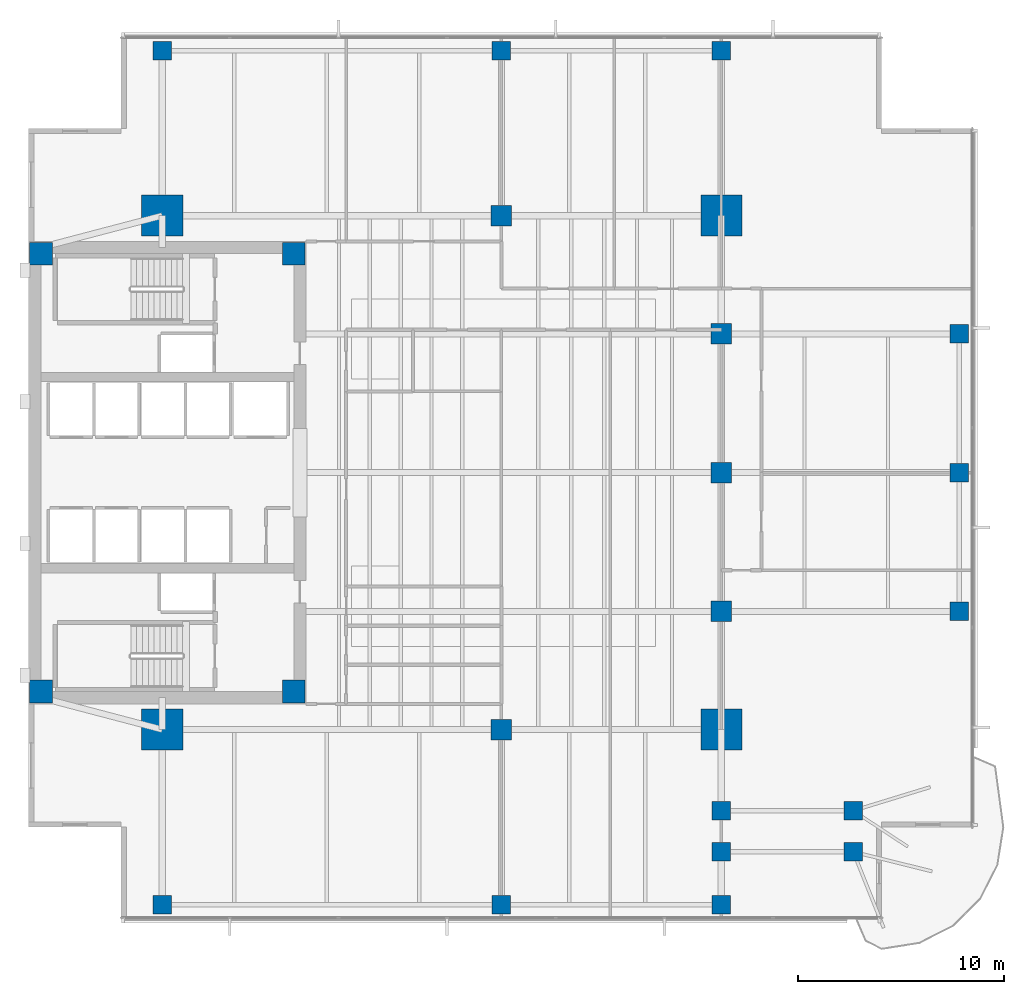
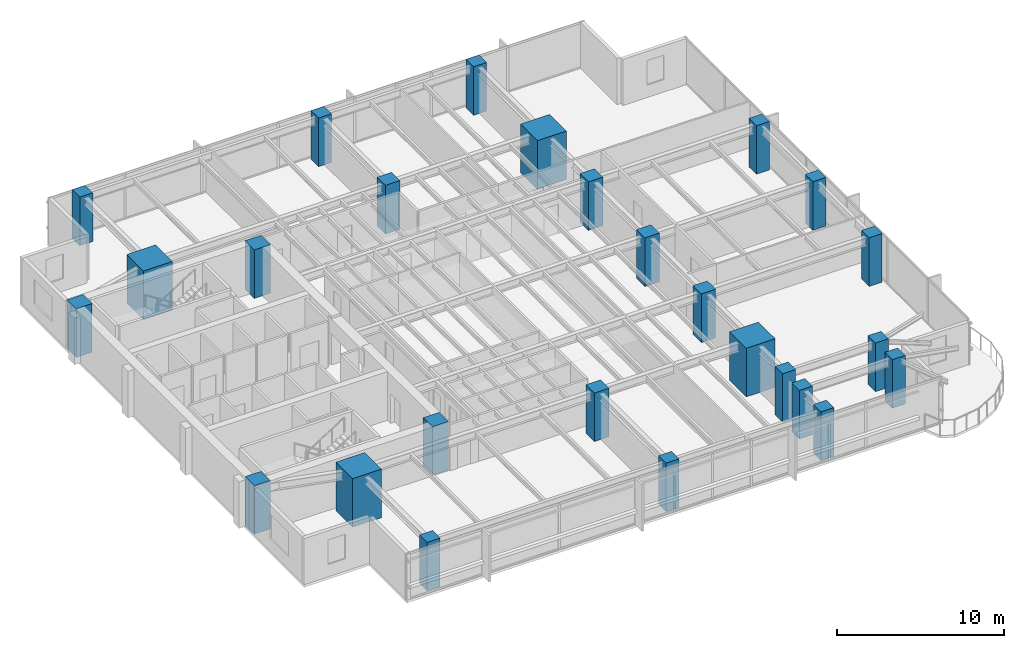
# One storey, part 1 of 14: 26 columns.
"""IFC4 building model written with IfcOpenShell, lengths in metres."""

from ifc_helpers import new_model, si_unit, direction, frame, origin, origin_2d, place, context, subcontext, project, spatial, rectangle, extrude, material, material_profile, profile_set, type_object, element, save


model = new_model("IFC4")

# Units and contexts
model_context = context("Model", 3, precision=1e-05, world=origin(), true_north=direction((0.0, 1.0)))
body_context = subcontext(model_context, "Body", "Model", "MODEL_VIEW")
ifc_project = project(units=[si_unit("LENGTHUNIT", "METRE"), si_unit("AREAUNIT", "SQUARE_METRE"), si_unit("VOLUMEUNIT", "CUBIC_METRE"), si_unit("PLANEANGLEUNIT", "RADIAN"), si_unit("MASSUNIT", "GRAM", prefix="KILO")], contexts=[model_context])

# Site, building, storey
site_placement = place(None, origin())
site = spatial("IfcSite", under=ifc_project, at=site_placement, CompositionType="ELEMENT")
building_placement = place(site_placement, origin())
building = spatial("IfcBuilding", under=site, at=building_placement, Name="Kinhvarn Gate Tower", CompositionType="ELEMENT")
storey_placement = place(building_placement, frame((0.0, 0.0, 120.0)))
storey = spatial("IfcBuildingStorey", under=building, at=storey_placement, Name="L31", CompositionType="ELEMENT", Elevation=120.0)

# Columns
ifc_material = material(Name="Concrete C60/75", Category="concrete")
ifc_material_profile_1 = material_profile(ifc_material, rectangle(XDim=2.0, YDim=2.0, at=origin_2d()), Name="RC 2000x2000")
ifc_profile_set_1 = profile_set([ifc_material_profile_1], Name="Concrete C60/75")
column_type_1 = type_object("IfcColumnType", Name="COL-MC-2000", PredefinedType="COLUMN", material=ifc_profile_set_1)
for number, where, z_axis, x_axis, name in (
    (1, (11.0, 12.75, 0.0), (0.0, 0.0, 1.0), (1.0, 0.0, 0.0), "Column MC1-L31 (MC-20)"),
    (2, (11.0, 37.75, 0.0), (0.0, 0.0, 1.0), (1.0, 0.0, 0.0), "Column MC4-L31 (MC-20)"),
    (3, (38.199951171875, 12.75, 0.0), (0.0, 0.0, 1.0), (1.0, 0.0, 0.0), "Column MC2-L31 (MC-20)"),
    (4, (38.199951171875, 37.75, 0.0), (0.0, 0.0, 1.0), (1.0, 0.0, 0.0), "Column MC3-L31 (MC-20)"),
):
    element("IfcColumn", number, at=place(storey_placement, frame(where, z_axis=z_axis, x_axis=x_axis)), inside=storey, type_object=column_type_1, Name=name, PredefinedType="COLUMN", context=body_context, shape_type="SweptSolid", body=[
        extrude(rectangle(XDim=2.0, YDim=2.0, at=origin_2d()), origin(), (0.0, 0.0, 1.0), 3.550048828125),
    ])
ifc_material_profile_2 = material_profile(ifc_material, rectangle(XDim=1.0, YDim=1.0, at=origin_2d()), Name="RC 1000x1000")
ifc_profile_set_2 = profile_set([ifc_material_profile_2], Name="Concrete C60/75")
column_type_2 = type_object("IfcColumnType", Name="COL-RC-1000", PredefinedType="COLUMN", material=ifc_profile_set_2)
for number, where, z_axis, x_axis, name in (
    (5, (27.5, 12.75, 0.0), (0.0, 0.0, 1.0), (1.0, 0.0, 0.0), "Column SP27-S-L31 (C-100)"),
    (6, (27.5, 37.75, 0.0), (0.0, 0.0, 1.0), (1.0, 0.0, 0.0), "Column SP27-N-L31 (C-100)"),
    (7, (38.199951171875, 18.5, 0.0), (0.0, 0.0, 1.0), (1.0, 0.0, 0.0), "Column SP38-E1-L31 (C-100)"),
    (8, (38.199951171875, 25.25, 0.0), (0.0, 0.0, 1.0), (1.0, 0.0, 0.0), "Column SP38-E2-L31 (C-100)"),
    (9, (38.199951171875, 32.0, 0.0), (0.0, 0.0, 1.0), (1.0, 0.0, 0.0), "Column SP38-E3-L31 (C-100)"),
):
    element("IfcColumn", number, at=place(storey_placement, frame(where, z_axis=z_axis, x_axis=x_axis)), inside=storey, type_object=column_type_2, Name=name, PredefinedType="COLUMN", context=body_context, shape_type="SweptSolid", body=[
        extrude(rectangle(XDim=1.0, YDim=1.0, at=origin_2d()), origin(), (0.0, 0.0, 1.0), 3.550048828125),
    ])
ifc_material_profile_3 = material_profile(ifc_material, rectangle(XDim=0.89990234375, YDim=0.89990234375, at=origin_2d()), Name="RC 900x900")
ifc_profile_set_3 = profile_set([ifc_material_profile_3], Name="Concrete C60/75")
column_type_3 = type_object("IfcColumnType", Name="COL-RC-900", PredefinedType="COLUMN", material=ifc_profile_set_3)
for number, where, z_axis, x_axis, name in (
    (10, (38.199951171875, 6.800048828125, 0.0), (0.0, 0.0, 1.0), (1.0, 0.0, 0.0), "Column CS-ANC68-L31 (C-090)"),
    (11, (38.199951171875, 8.800048828125, 0.0), (0.0, 0.0, 1.0), (1.0, 0.0, 0.0), "Column CS-ANC88-L31 (C-090)"),
    (12, (44.6201171875, 6.800048828125, 0.0), (0.0, 0.0, 1.0), (1.0, 0.0, 0.0), "Column CS-SE2-L31 (C-090)"),
    (13, (44.6201171875, 8.800048828125, 0.0), (0.0, 0.0, 1.0), (1.0, 0.0, 0.0), "Column CS-SE2B-L31 (C-090)"),
    (14, (49.780029296875, 18.5, 0.0), (0.0, 0.0, 1.0), (1.0, 0.0, 0.0), "Column CE-1-L31 (C-090)"),
    (15, (49.780029296875, 25.25, 0.0), (0.0, 0.0, 1.0), (1.0, 0.0, 0.0), "Column CE-2-L31 (C-090)"),
    (16, (49.780029296875, 32.0, 0.0), (0.0, 0.0, 1.0), (1.0, 0.0, 0.0), "Column CE-3-L31 (C-090)"),
    (17, (11.0, 4.219970703125, 0.0), (0.0, 0.0, 1.0), (1.0, 0.0, 0.0), "Column CS-0-L31 (C-090)"),
    (18, (27.5, 4.219970703125, 0.0), (0.0, 0.0, 1.0), (1.0, 0.0, 0.0), "Column CS-1-L31 (C-090)"),
    (19, (38.199951171875, 4.219970703125, 0.0), (0.0, 0.0, 1.0), (1.0, 0.0, 0.0), "Column CS-2-L31 (C-090)"),
    (20, (11.0, 45.780029296875, 0.0), (0.0, 0.0, 1.0), (1.0, 0.0, 0.0), "Column CN-0-L31 (C-090)"),
    (21, (27.5, 45.780029296875, 0.0), (0.0, 0.0, 1.0), (1.0, 0.0, 0.0), "Column CN-1-L31 (C-090)"),
    (22, (38.199951171875, 45.780029296875, 0.0), (0.0, 0.0, 1.0), (1.0, 0.0, 0.0), "Column CN-2-L31 (C-090)"),
):
    element("IfcColumn", number, at=place(storey_placement, frame(where, z_axis=z_axis, x_axis=x_axis)), inside=storey, type_object=column_type_3, Name=name, PredefinedType="COLUMN", context=body_context, shape_type="SweptSolid", body=[
        extrude(rectangle(XDim=0.89990234375, YDim=0.89990234375, at=origin_2d()), origin(), (0.0, 0.0, 1.0), 3.550048828125),
    ])
ifc_material_profile_4 = material_profile(ifc_material, rectangle(XDim=1.10009765625, YDim=1.10009765625, at=origin_2d()), Name="RC 1100x1100")
ifc_profile_set_4 = profile_set([ifc_material_profile_4], Name="Concrete C60/75")
column_type_4 = type_object("IfcColumnType", Name="PIL-RC-1100", PredefinedType="PILASTER", material=ifc_profile_set_4)
for number, where, z_axis, x_axis, name in (
    (23, (5.10009765625, 14.60009765625, 0.0), (0.0, 0.0, 1.0), (1.0, 0.0, 0.0), "Column CC-SW-L31 (CP-110)"),
    (24, (5.10009765625, 35.89990234375, 0.0), (0.0, 0.0, 1.0), (1.0, 0.0, 0.0), "Column CC-NW-L31 (CP-110)"),
    (25, (17.39990234375, 14.60009765625, 0.0), (0.0, 0.0, 1.0), (1.0, 0.0, 0.0), "Column CC-SE-L31 (CP-110)"),
    (26, (17.39990234375, 35.89990234375, 0.0), (0.0, 0.0, 1.0), (1.0, 0.0, 0.0), "Column CC-NE-L31 (CP-110)"),
):
    element("IfcColumn", number, at=place(storey_placement, frame(where, z_axis=z_axis, x_axis=x_axis)), inside=storey, type_object=column_type_4, Name=name, PredefinedType="PILASTER", context=body_context, shape_type="SweptSolid", body=[
        extrude(rectangle(XDim=1.10009765625, YDim=1.10009765625, at=origin_2d()), origin(), (0.0, 0.0, 1.0), 3.550048828125),
    ])

save(model, "model.ifc")
